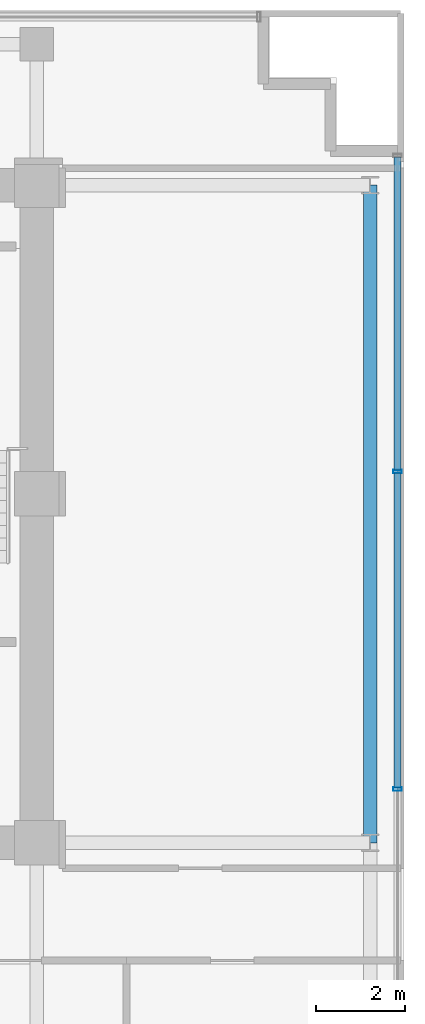
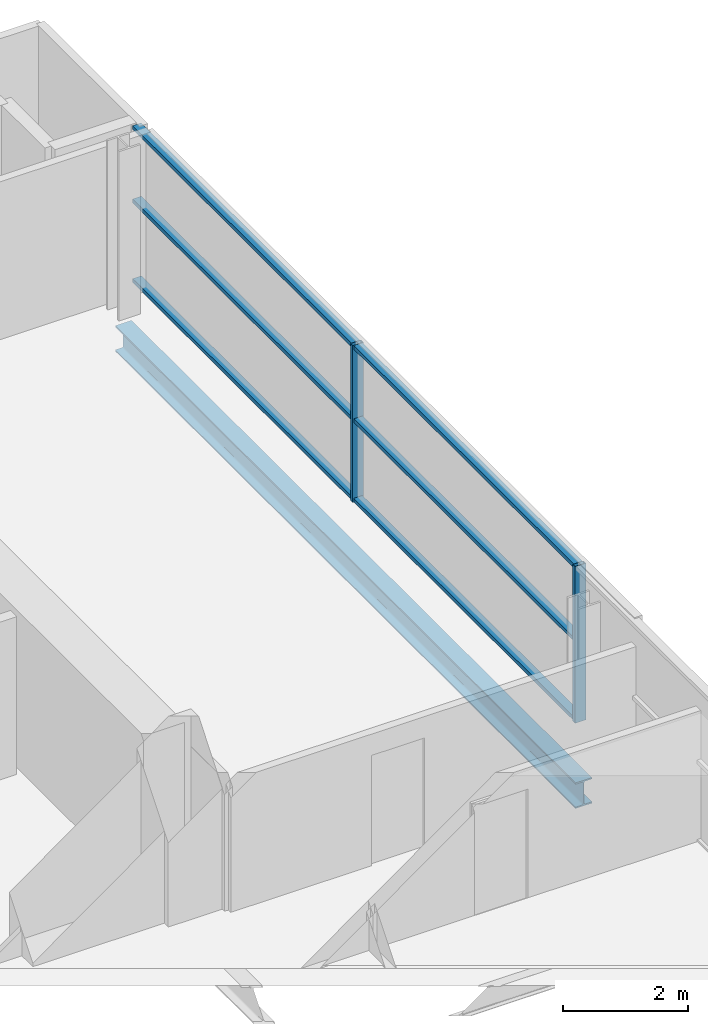
# One storey, part 8 of 21: 8 members, 1 beam, 1 element without a shape of its own.
"""IFC4 building model written with IfcOpenShell, lengths in metres."""

from ifc_helpers import new_model, si_unit, direction, frame, origin, origin_2d, place, context, subcontext, project, spatial, hollow_rectangle, i_section, extrude, source, transform, mapped, material, layer, layer_set, material_profile, profile_set, type_object, element, aggregate, save


model = new_model("IFC4")

# Units and contexts
model_context = context("Model", 3, precision=1e-05, world=origin(), true_north=direction((0.0, 1.0)))
body_context = subcontext(model_context, "Body", "Model", "MODEL_VIEW")
ifc_project = project(units=[si_unit("LENGTHUNIT", "METRE"), si_unit("AREAUNIT", "SQUARE_METRE"), si_unit("VOLUMEUNIT", "CUBIC_METRE"), si_unit("PLANEANGLEUNIT", "RADIAN"), si_unit("MASSUNIT", "GRAM", prefix="KILO")], contexts=[model_context])

# Site, building, storey
site_placement = place(None, origin())
site = spatial("IfcSite", under=ifc_project, at=site_placement, CompositionType="ELEMENT")
building_placement = place(site_placement, origin())
building = spatial("IfcBuilding", under=site, at=building_placement, Name="Zarnakvel Exchange Tower", CompositionType="ELEMENT")
storey_placement = place(building_placement, frame((0.0, 0.0, 159.39990234375)))
storey = spatial("IfcBuildingStorey", under=building, at=storey_placement, Name="L44", CompositionType="ELEMENT", Elevation=159.39990234375)

# Beam
ifc_material_1 = material(Name="Steel S355", Category="steel")
ifc_material_profile_1 = material_profile(ifc_material_1, i_section(OverallWidth=0.300048828125, OverallDepth=0.5, WebThickness=0.014404296875, FlangeThickness=0.028076171875, FilletRadius=0.027099609375, at=origin_2d()))
ifc_profile_set_1 = profile_set([ifc_material_profile_1], Name="Steel S355")
beam_type = type_object("IfcBeamType", Name="SP-02", PredefinedType="SPANDREL", material=ifc_profile_set_1)
beam_placement = place(storey_placement, frame((21.85009765625, -1.199951171875, -0.474853515625), z_axis=(0.0, 1.0, 0.0), x_axis=(-1.0, 0.0, 0.0)))
element("IfcBeam", 1, at=beam_placement, inside=storey, type_object=beam_type, Name="L44 Tower N-S Frame Beam", PredefinedType="SPANDREL", context=body_context, shape_type="SweptSolid", body=[
    extrude(i_section(OverallWidth=0.300048828125, OverallDepth=0.5, WebThickness=0.014404296875, FlangeThickness=0.028076171875, FilletRadius=0.027099609375, at=origin_2d()), origin(), (0.0, 0.0, 1.0), 14.699951171875),
])

# Curtain wall, members
ifc_material_2 = material(Name="Architectural Bronze Anodised Aluminium", Category="aluminium")
ifc_layer = layer(ifc_material_2, 0.199951171875)
ifc_layer_set = layer_set([ifc_layer], Name="Architectural Bronze Anodised Aluminium")
curtain_wall_type = type_object("IfcCurtainWallType", Name="CW-04", PredefinedType="NOTDEFINED", material=ifc_layer_set)
curtain_wall_placement = place(storey_placement, origin())
curtain_wall = element("IfcCurtainWall", 2, at=curtain_wall_placement, inside=storey, type_object=curtain_wall_type, Name="L44 Curtain Wall CW-L44-E1 (CW-04)", PredefinedType="NOTDEFINED")
ifc_material_profile_2 = material_profile(ifc_material_2, hollow_rectangle(XDim=0.199951171875, YDim=0.074951171875, WallThickness=0.0048828125, at=origin_2d()))
ifc_profile_set_2 = profile_set([ifc_material_profile_2], Name="Architectural Bronze Anodised Aluminium")
member_type_1 = type_object("IfcMemberType", Name="CWM-04", PredefinedType="MULLION", material=ifc_profile_set_2)
shared_shape_1 = source(origin(), body_context, "Body", "SweptSolid", [
    extrude(hollow_rectangle(XDim=0.199951171875, YDim=0.074951171875, WallThickness=0.0048828125, at=origin_2d()), origin(), (0.0, 0.0, 1.0), 3.05517578125),
])
member_1_placement = place(storey_placement, frame((22.4599609375, 0.0, 0.0), z_axis=(0.0, 0.0, 1.0), x_axis=(-1.0, 0.0, 0.0)))
member_1 = element("IfcMember", 3, at=member_1_placement, type_object=member_type_1, Name="CW-04 mullion 3", PredefinedType="MULLION", context=body_context, shape_type="MappedRepresentation", body=[
    mapped(shared_shape_1, transform((0.0, 0.0, 0.0), x_axis=(1.0, 0.0, 0.0), y_axis=(0.0, 1.0, 0.0), z_axis=(0.0, 0.0, 1.0), scale=1.0)),
])
member_2_placement = place(storey_placement, frame((22.4599609375, 7.10009765625, 0.0), z_axis=(0.0, 0.0, 1.0), x_axis=(-1.0, 0.0, 0.0)))
member_2 = element("IfcMember", 4, at=member_2_placement, type_object=member_type_1, Name="CW-04 mullion 4", PredefinedType="MULLION", context=body_context, shape_type="MappedRepresentation", body=[
    mapped(shared_shape_1, transform((0.0, 0.0, 0.0), x_axis=(1.0, 0.0, 0.0), y_axis=(0.0, 1.0, 0.0), z_axis=(0.0, 0.0, 1.0), scale=1.0)),
])
ifc_material_profile_3 = material_profile(ifc_material_2, hollow_rectangle(XDim=0.159912109375, YDim=0.074951171875, WallThickness=0.00390625, at=origin_2d()))
ifc_profile_set_3 = profile_set([ifc_material_profile_3], Name="Architectural Bronze Anodised Aluminium")
member_type_2 = type_object("IfcMemberType", Name="CWT-04", PredefinedType="USERDEFINED", material=ifc_profile_set_3)
shared_shape_2 = source(origin(), body_context, "Body", "SweptSolid", [
    extrude(hollow_rectangle(XDim=0.159912109375, YDim=0.074951171875, WallThickness=0.00390625, at=origin_2d()), origin(), (0.0, 0.0, 1.0), 6.987548828125),
])
member_3_placement = place(storey_placement, frame((22.4599609375, 7.137451171875, 0.03759765625), z_axis=(0.0, 1.0, 0.0), x_axis=(-1.0, 0.0, 0.0)))
member_3 = element("IfcMember", 5, at=member_3_placement, type_object=member_type_2, Name="CW-04 transom 4.1", ObjectType="TRANSOM", PredefinedType="USERDEFINED", context=body_context, shape_type="MappedRepresentation", body=[
    mapped(shared_shape_2, transform((0.0, 0.0, 0.0), x_axis=(1.0, 0.0, 0.0), y_axis=(0.0, 1.0, 0.0), z_axis=(0.0, 0.0, 1.0), scale=1.0)),
])
member_4_placement = place(storey_placement, frame((22.4599609375, 7.137451171875, 1.588623046875), z_axis=(0.0, 1.0, 0.0), x_axis=(-1.0, 0.0, 0.0)))
member_4 = element("IfcMember", 6, at=member_4_placement, type_object=member_type_2, Name="CW-04 transom 4.2", ObjectType="TRANSOM", PredefinedType="USERDEFINED", context=body_context, shape_type="MappedRepresentation", body=[
    mapped(shared_shape_2, transform((0.0, 0.0, 0.0), x_axis=(1.0, 0.0, 0.0), y_axis=(0.0, 1.0, 0.0), z_axis=(0.0, 0.0, 1.0), scale=1.0)),
])
member_5_placement = place(storey_placement, frame((22.4599609375, 7.137451171875, 3.017578125), z_axis=(0.0, 1.0, 0.0), x_axis=(-1.0, 0.0, 0.0)))
member_5 = element("IfcMember", 7, at=member_5_placement, type_object=member_type_2, Name="CW-04 transom 4.3", ObjectType="TRANSOM", PredefinedType="USERDEFINED", context=body_context, shape_type="MappedRepresentation", body=[
    mapped(shared_shape_2, transform((0.0, 0.0, 0.0), x_axis=(1.0, 0.0, 0.0), y_axis=(0.0, 1.0, 0.0), z_axis=(0.0, 0.0, 1.0), scale=1.0)),
])
shared_shape_3 = source(origin(), body_context, "Body", "SweptSolid", [
    extrude(hollow_rectangle(XDim=0.159912109375, YDim=0.074951171875, WallThickness=0.00390625, at=origin_2d()), origin(), (0.0, 0.0, 1.0), 7.02490234375),
])
member_6_placement = place(storey_placement, frame((22.4599609375, 0.03759765625, 0.03759765625), z_axis=(0.0, 1.0, 0.0), x_axis=(-1.0, 0.0, 0.0)))
member_6 = element("IfcMember", 8, at=member_6_placement, type_object=member_type_2, Name="CW-04 transom 3.1", ObjectType="TRANSOM", PredefinedType="USERDEFINED", context=body_context, shape_type="MappedRepresentation", body=[
    mapped(shared_shape_3, transform((0.0, 0.0, 0.0), x_axis=(1.0, 0.0, 0.0), y_axis=(0.0, 1.0, 0.0), z_axis=(0.0, 0.0, 1.0), scale=1.0)),
])
member_7_placement = place(storey_placement, frame((22.4599609375, 0.03759765625, 1.588623046875), z_axis=(0.0, 1.0, 0.0), x_axis=(-1.0, 0.0, 0.0)))
member_7 = element("IfcMember", 9, at=member_7_placement, type_object=member_type_2, Name="CW-04 transom 3.2", ObjectType="TRANSOM", PredefinedType="USERDEFINED", context=body_context, shape_type="MappedRepresentation", body=[
    mapped(shared_shape_3, transform((0.0, 0.0, 0.0), x_axis=(1.0, 0.0, 0.0), y_axis=(0.0, 1.0, 0.0), z_axis=(0.0, 0.0, 1.0), scale=1.0)),
])
member_8_placement = place(storey_placement, frame((22.4599609375, 0.03759765625, 3.017578125), z_axis=(0.0, 1.0, 0.0), x_axis=(-1.0, 0.0, 0.0)))
member_8 = element("IfcMember", 10, at=member_8_placement, type_object=member_type_2, Name="CW-04 transom 3.3", ObjectType="TRANSOM", PredefinedType="USERDEFINED", context=body_context, shape_type="MappedRepresentation", body=[
    mapped(shared_shape_3, transform((0.0, 0.0, 0.0), x_axis=(1.0, 0.0, 0.0), y_axis=(0.0, 1.0, 0.0), z_axis=(0.0, 0.0, 1.0), scale=1.0)),
])
aggregate(curtain_wall, [member_1, member_2, member_6, member_7, member_8, member_3, member_4, member_5])

save(model, "model.ifc")
